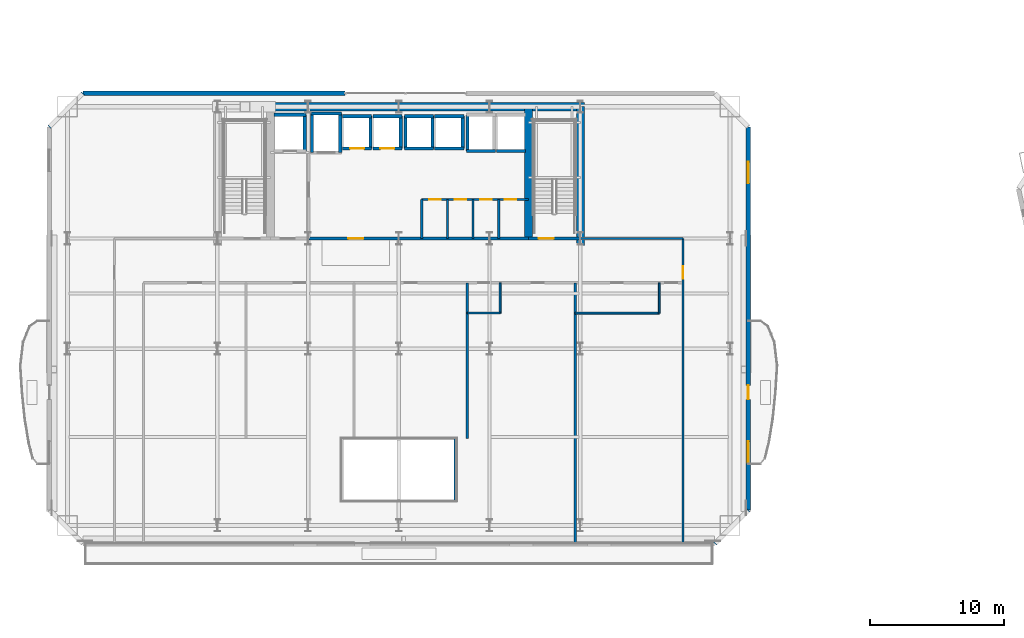
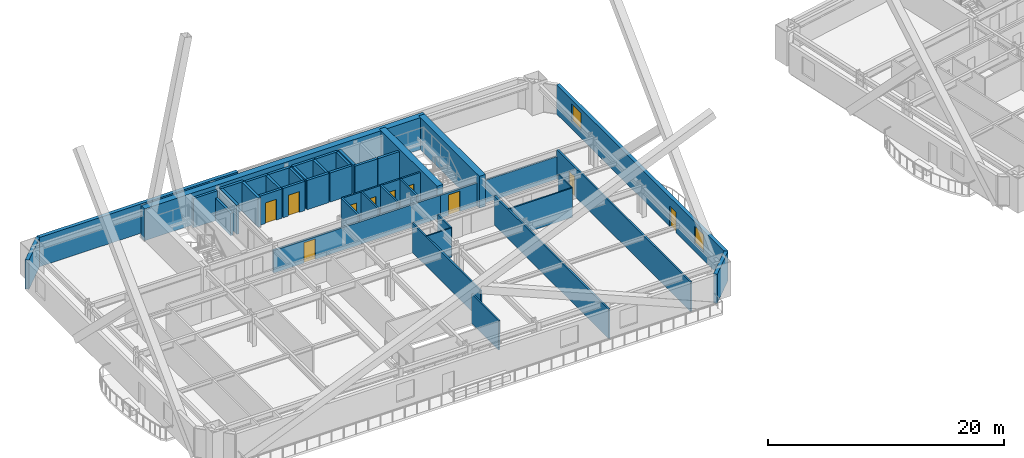
# One storey, part 12 of 25: 44 walls, 10 doors, 2 windows, 12 openings.
"""IFC4 building model written with IfcOpenShell, lengths in metres."""

from ifc_helpers import new_model, si_unit, direction, frame, frame_2d, origin, place, context, subcontext, project, spatial, rectangle, extrude, material, layer, layer_set, type_object, element, fill, save


model = new_model("IFC4")

# Units and contexts
model_context = context("Model", 3, precision=1e-05, world=origin(), true_north=direction((0.0, 1.0)))
body_context = subcontext(model_context, "Body", "Model", "MODEL_VIEW")
ifc_project = project(units=[si_unit("LENGTHUNIT", "METRE"), si_unit("AREAUNIT", "SQUARE_METRE"), si_unit("VOLUMEUNIT", "CUBIC_METRE"), si_unit("PLANEANGLEUNIT", "RADIAN"), si_unit("MASSUNIT", "GRAM", prefix="KILO")], contexts=[model_context])

# Site, building, storey
site_placement = place(None, origin())
site = spatial("IfcSite", under=ifc_project, at=site_placement, CompositionType="ELEMENT")
building_placement = place(site_placement, origin())
building = spatial("IfcBuilding", under=site, at=building_placement, Name="Haevon Station Towers", CompositionType="ELEMENT")
storey_placement = place(building_placement, frame((0.0, 0.0, 50.39990234375)))
storey = spatial("IfcBuildingStorey", under=building, at=storey_placement, Name="L12", CompositionType="ELEMENT", Elevation=50.39990234375)

# Wall, opening, door
ifc_material_1 = material(Name="Gypsum board on steel stud", Category="steel")
ifc_layer_1 = layer(ifc_material_1, 0.199951171875)
ifc_layer_set_1 = layer_set([ifc_layer_1], Name="Gypsum board on steel stud")
wall_type_1 = type_object("IfcWallType", Name="WL-COR200", PredefinedType="PARTITIONING", material=ifc_layer_set_1)
wall_1_placement = place(storey_placement, frame((47.14990234375, 38.199951171875, 0.0), z_axis=(0.0, 0.0, 1.0), x_axis=(1.0, 0.0, 0.0)))
wall_1 = element("IfcWall", 1, at=wall_1_placement, inside=storey, type_object=wall_type_1, Name="WL-ST-ST2-L12", PredefinedType="PARTITIONING", context=body_context, shape_type="SweptSolid", body=[
    extrude(rectangle(XDim=3.85009765625, YDim=0.199951171875, at=frame_2d((1.925048828125, 0.0))), origin(), (0.0, 0.0, 1.0), 2.330078125),
])
opening_1_placement = place(wall_1_placement, frame((0.75, 0.0, 0.0)))
opening_1 = element("IfcOpeningElement", 2, at=opening_1_placement, cuts=wall_1, Name="Opening DR-ST-ST2-L12", PredefinedType="OPENING", context=body_context, shape_type="SweptSolid", body=[
    extrude(rectangle(XDim=1.1201171875, YDim=2.10009765625, at=frame_2d((0.56005859375, 1.050048828125))), frame((0.0, 0.10986328125, 0.0), z_axis=(0.0, -1.0, 0.0), x_axis=(1.0, 0.0, 0.0)), (0.0, 0.0, 1.0), 0.219970703125),
])
ifc_material_2 = material(Name="Engineered oak timber", Category="wood")
door_type_1 = type_object("IfcDoorType", Name="DR-ST-1120", OperationType="NOTDEFINED", PredefinedType="DOOR", material=ifc_material_2)
door_1_placement = place(opening_1_placement, origin())
door_1 = element("IfcDoor", 3, at=door_1_placement, inside=storey, type_object=door_type_1, Name="L12 Escape Stair ST2 Fire Door", OperationType="SINGLE_SWING_LEFT", OverallHeight=2.10009765625, OverallWidth=1.1201171875, PredefinedType="DOOR", context=body_context, shape_type="SweptSolid", body=[
    extrude(rectangle(XDim=1.1201171875, YDim=2.10009765625, at=frame_2d((0.56005859375, 1.050048828125))), frame((0.0, 0.02490234375, 0.0), z_axis=(0.0, -1.0, 0.0), x_axis=(1.0, 0.0, 0.0)), (0.0, 0.0, 1.0), 0.050048828125),
])
fill(opening_1, door_1)

wall_2_placement = place(storey_placement, frame((30.800048828125, 38.199951171875, 0.0), z_axis=(0.0, 0.0, 1.0), x_axis=(1.0, 0.0, 0.0)))
wall_2 = element("IfcWall", 4, at=wall_2_placement, inside=storey, type_object=wall_type_1, Name="WL-T1CLB-L12", PredefinedType="PARTITIONING", context=body_context, shape_type="SweptSolid", body=[
    extrude(rectangle(XDim=16.349853515625, YDim=0.199951171875, at=frame_2d((8.1748046875, 0.0))), origin(), (0.0, 0.0, 1.0), 2.330078125),
])
opening_2_placement = place(wall_2_placement, frame((2.949951171875, 0.0, 0.0)))
opening_2 = element("IfcOpeningElement", 5, at=opening_2_placement, cuts=wall_2, Name="Opening DR-T1CLB-L12-1", PredefinedType="OPENING", context=body_context, shape_type="SweptSolid", body=[
    extrude(rectangle(XDim=1.1201171875, YDim=2.10009765625, at=frame_2d((0.56005859375, 1.050048828125))), frame((0.0, 0.10986328125, 0.0), z_axis=(0.0, -1.0, 0.0), x_axis=(1.0, 0.0, 0.0)), (0.0, 0.0, 1.0), 0.219970703125),
])
door_2_placement = place(opening_2_placement, origin())
door_2 = element("IfcDoor", 6, at=door_2_placement, inside=storey, type_object=door_type_1, Name="L12 Tower 1 Core Lift Lobby Door 1", OperationType="SINGLE_SWING_RIGHT", OverallHeight=2.10009765625, OverallWidth=1.1201171875, PredefinedType="DOOR", context=body_context, shape_type="SweptSolid", body=[
    extrude(rectangle(XDim=1.1201171875, YDim=2.10009765625, at=frame_2d((0.56005859375, 1.050048828125))), frame((0.0, 0.02490234375, 0.0), z_axis=(0.0, -1.0, 0.0), x_axis=(1.0, 0.0, 0.0)), (0.0, 0.0, 1.0), 0.050048828125),
])
fill(opening_2, door_2)

# Walls
ifc_material_3 = material(Name="Concrete C60/75", Category="concrete")
ifc_layer_2 = layer(ifc_material_3, 0.60009765625)
ifc_layer_set_2 = layer_set([ifc_layer_2], Name="Concrete C60/75")
wall_type_2 = type_object("IfcWallType", Name="WL-CR600", PredefinedType="SHEAR", material=ifc_layer_set_2)
wall_3_placement = place(storey_placement, frame((23.699951171875, 48.0, 0.0), z_axis=(0.0, 0.0, 1.0), x_axis=(1.0, 0.0, 0.0)))
element("IfcWall", 7, at=wall_3_placement, inside=storey, type_object=wall_type_2, Name="WL-T1CR-L12-N", PredefinedType="SHEAR", context=body_context, shape_type="SweptSolid", body=[
    extrude(rectangle(XDim=27.60009765625, YDim=0.60009765625, at=frame_2d((13.800048828125, 0.0))), origin(), (0.0, 0.0, 1.0), 3.300048828125),
])
wall_4_placement = place(storey_placement, frame((51.0, 37.679931640625, 0.0), z_axis=(0.0, 0.0, 1.0), x_axis=(0.0, 1.0, 0.0)))
element("IfcWall", 8, at=wall_4_placement, inside=storey, type_object=wall_type_2, Name="WL-T1CR-L12-E", PredefinedType="SHEAR", context=body_context, shape_type="SweptSolid", body=[
    extrude(rectangle(XDim=10.320068359375, YDim=0.60009765625, at=frame_2d((5.16015625, 0.0))), origin(), (0.0, 0.0, 1.0), 3.300048828125),
])
wall_5_placement = place(storey_placement, frame((47.14990234375, 38.199951171875, 0.0), z_axis=(0.0, 0.0, 1.0), x_axis=(0.0, 1.0, 0.0)))
element("IfcWall", 9, at=wall_5_placement, inside=storey, type_object=wall_type_2, Name="WL-T1CR-L12-M2", PredefinedType="SHEAR", context=body_context, shape_type="SweptSolid", body=[
    extrude(rectangle(XDim=9.800048828125, YDim=0.60009765625, at=frame_2d((4.89990234375, 0.0))), origin(), (0.0, 0.0, 1.0), 3.300048828125),
])
ifc_material_4 = material(Name="Precast concrete C45/55", Category="concrete")
ifc_layer_3 = layer(ifc_material_4, 0.340087890625)
ifc_layer_set_3 = layer_set([ifc_layer_3], Name="Precast concrete C45/55")
wall_type_3 = type_object("IfcWallType", Name="WL-EXT-PIER340", PredefinedType="SOLIDWALL", material=ifc_layer_set_3)
wall_6_placement = place(storey_placement, frame((11.5, 46.5, 0.0), z_axis=(0.0, 0.0, 1.0), x_axis=(0.707106781187, 0.707106781187, 0.0)))
element("IfcWall", 10, at=wall_6_placement, inside=storey, type_object=wall_type_3, Name="WL-T1-L12-NWC", PredefinedType="SOLIDWALL", context=body_context, shape_type="SweptSolid", body=[
    extrude(rectangle(XDim=3.53564453125, YDim=0.340087890625, at=frame_2d((1.767822265625, 0.0))), origin(), (0.0, 0.0, 1.0), 3.030029296875),
])
wall_7_placement = place(storey_placement, frame((14.0, 49.0, 0.0), z_axis=(0.0, 0.0, 1.0), x_axis=(1.0, 0.0, 0.0)))
element("IfcWall", 11, at=wall_7_placement, inside=storey, type_object=wall_type_3, Name="WL-T1-L12-N1", PredefinedType="SOLIDWALL", context=body_context, shape_type="SweptSolid", body=[
    extrude(rectangle(XDim=19.5, YDim=0.340087890625, at=frame_2d((9.75, 0.0))), origin(), (0.0, 0.0, 1.0), 3.030029296875),
])

# Wall, openings, door, windows
wall_8_placement = place(storey_placement, frame((63.5, 46.5, 0.0), z_axis=(0.0, 0.0, 1.0), x_axis=(0.0, -1.0, 0.0)))
wall_8 = element("IfcWall", 12, at=wall_8_placement, inside=storey, type_object=wall_type_3, Name="WL-T1-L12-E", PredefinedType="SOLIDWALL", context=body_context, shape_type="SweptSolid", body=[
    extrude(rectangle(XDim=28.5, YDim=0.340087890625, at=frame_2d((14.25, 0.0))), origin(), (0.0, 0.0, 1.0), 3.030029296875),
])
opening_3_placement = place(wall_8_placement, frame((19.22509765625, 0.0, 0.0)))
opening_3 = element("IfcOpeningElement", 13, at=opening_3_placement, cuts=wall_8, Name="Opening DR-T1-SCAL-L12-E", PredefinedType="OPENING", context=body_context, shape_type="SweptSolid", body=[
    extrude(rectangle(XDim=1.050048828125, YDim=2.10009765625, at=frame_2d((0.52490234375, 1.050048828125))), frame((0.0, 0.179931640625, 0.0), z_axis=(0.0, -1.0, 0.0), x_axis=(1.0, 0.0, 0.0)), (0.0, 0.0, 1.0), 0.360107421875),
])
opening_4_placement = place(wall_8_placement, frame((2.607177734375, 0.0, 0.800048828125)))
opening_4 = element("IfcOpeningElement", 14, at=opening_4_placement, cuts=wall_8, Name="Opening WN-END160", PredefinedType="OPENING", context=body_context, shape_type="SweptSolid", body=[
    extrude(rectangle(XDim=1.60009765625, YDim=1.800048828125, at=frame_2d((0.800048828125, 0.89990234375))), frame((0.0, 0.179931640625, 0.0), z_axis=(0.0, -1.0, 0.0), x_axis=(1.0, 0.0, 0.0)), (0.0, 0.0, 1.0), 0.360107421875),
])
opening_5_placement = place(wall_8_placement, frame((23.389404296875, 0.0, 0.800048828125)))
opening_5 = element("IfcOpeningElement", 15, at=opening_5_placement, cuts=wall_8, Name="Opening WN-END160", PredefinedType="OPENING", context=body_context, shape_type="SweptSolid", body=[
    extrude(rectangle(XDim=1.60009765625, YDim=1.800048828125, at=frame_2d((0.800048828125, 0.89990234375))), frame((0.0, 0.179931640625, 0.0), z_axis=(0.0, -1.0, 0.0), x_axis=(1.0, 0.0, 0.0)), (0.0, 0.0, 1.0), 0.360107421875),
])
ifc_material_5 = material(Name="Thermally broken anodised aluminium and laminated safety glass", Category="aluminium")
door_type_2 = type_object("IfcDoorType", Name="DR-BALC-1050", OperationType="NOTDEFINED", PredefinedType="DOOR", material=ifc_material_5)
door_3_placement = place(opening_3_placement, origin())
door_3 = element("IfcDoor", 16, at=door_3_placement, inside=storey, type_object=door_type_2, Name="Tower 1 L12 East Scalloped Balcony Door", OperationType="SINGLE_SWING_LEFT", OverallHeight=2.10009765625, OverallWidth=1.050048828125, PredefinedType="DOOR", context=body_context, shape_type="SweptSolid", body=[
    extrude(rectangle(XDim=1.050048828125, YDim=2.10009765625, at=frame_2d((0.52490234375, 1.050048828125))), frame((0.0, 0.02490234375, 0.0), z_axis=(0.0, -1.0, 0.0), x_axis=(1.0, 0.0, 0.0)), (0.0, 0.0, 1.0), 0.050048828125),
])
fill(opening_3, door_3)
ifc_material_6 = material(Name="Low-E triple glazing in thermally broken aluminium", Category="aluminium")
window_type = type_object("IfcWindowType", Name="WN-END160", PartitioningType="SINGLE_PANEL", PredefinedType="WINDOW", material=ifc_material_6)
window_1_placement = place(opening_4_placement, origin())
window_1 = element("IfcWindow", 17, at=window_1_placement, inside=storey, type_object=window_type, Name="WN-T1-L12-E01", OverallHeight=1.800048828125, OverallWidth=1.60009765625, PartitioningType="SINGLE_PANEL", PredefinedType="WINDOW", context=body_context, shape_type="SweptSolid", body=[
    extrude(rectangle(XDim=1.60009765625, YDim=1.800048828125, at=frame_2d((0.800048828125, 0.89990234375))), frame((0.0, 0.030029296875, 0.0), z_axis=(0.0, -1.0, 0.0), x_axis=(1.0, 0.0, 0.0)), (0.0, 0.0, 1.0), 0.06005859375),
])
fill(opening_4, window_1)
window_2_placement = place(opening_5_placement, origin())
window_2 = element("IfcWindow", 18, at=window_2_placement, inside=storey, type_object=window_type, Name="WN-T1-L12-E02", OverallHeight=1.800048828125, OverallWidth=1.60009765625, PartitioningType="SINGLE_PANEL", PredefinedType="WINDOW", context=body_context, shape_type="SweptSolid", body=[
    extrude(rectangle(XDim=1.60009765625, YDim=1.800048828125, at=frame_2d((0.800048828125, 0.89990234375))), frame((0.0, 0.030029296875, 0.0), z_axis=(0.0, -1.0, 0.0), x_axis=(1.0, 0.0, 0.0)), (0.0, 0.0, 1.0), 0.06005859375),
])
fill(opening_5, window_2)

# Walls
wall_9_placement = place(storey_placement, frame((63.5, 18.0, 0.0), z_axis=(0.0, 0.0, 1.0), x_axis=(-0.707106781187, -0.707106781187, 0.0)))
element("IfcWall", 19, at=wall_9_placement, inside=storey, type_object=wall_type_3, Name="WL-T1-L12-SEC", PredefinedType="SOLIDWALL", context=body_context, shape_type="SweptSolid", body=[
    extrude(rectangle(XDim=3.53564453125, YDim=0.340087890625, at=frame_2d((1.767822265625, 0.0))), origin(), (0.0, 0.0, 1.0), 3.030029296875),
])
ifc_layer_4 = layer(ifc_material_1, 0.125)
ifc_layer_set_4 = layer_set([ifc_layer_4], Name="Gypsum board on steel stud")
wall_type_4 = type_object("IfcWallType", Name="WL-PRT125", PredefinedType="PARTITIONING", material=ifc_layer_set_4)
wall_10_placement = place(storey_placement, frame((42.590087890625, 32.64990234375, 0.0), z_axis=(0.0, 0.0, 1.0), x_axis=(1.0, 0.0, 0.0)))
element("IfcWall", 20, at=wall_10_placement, inside=storey, type_object=wall_type_4, Name="WL-T1PT-L12-15", PredefinedType="PARTITIONING", context=body_context, shape_type="SweptSolid", body=[
    extrude(rectangle(XDim=2.449951171875, YDim=0.125, at=frame_2d((1.22509765625, 0.0))), origin(), (0.0, 0.0, 1.0), 3.030029296875),
])
wall_11_placement = place(storey_placement, frame((56.8701171875, 32.64990234375, 0.0), z_axis=(0.0, 0.0, 1.0), x_axis=(0.0, 1.0, 0.0)))
element("IfcWall", 21, at=wall_11_placement, inside=storey, type_object=wall_type_4, Name="WL-T1PT-L12-19", PredefinedType="PARTITIONING", context=body_context, shape_type="SweptSolid", body=[
    extrude(rectangle(XDim=2.25, YDim=0.125, at=frame_2d((1.125, 0.0))), origin(), (0.0, 0.0, 1.0), 3.030029296875),
])
ifc_layer_5 = layer(ifc_material_1, 0.139892578125)
ifc_layer_set_5 = layer_set([ifc_layer_5], Name="Gypsum board on steel stud")
wall_type_5 = type_object("IfcWallType", Name="WL-PRT140", PredefinedType="PARTITIONING", material=ifc_layer_set_5)
wall_12_placement = place(storey_placement, frame((45.0400390625, 32.64990234375, 0.0), z_axis=(0.0, 0.0, 1.0), x_axis=(0.0, 1.0, 0.0)))
element("IfcWall", 22, at=wall_12_placement, inside=storey, type_object=wall_type_5, Name="WL-T1PT-L12-16", PredefinedType="PARTITIONING", context=body_context, shape_type="SweptSolid", body=[
    extrude(rectangle(XDim=2.25, YDim=0.139892578125, at=frame_2d((1.125, 0.0))), origin(), (0.0, 0.0, 1.0), 3.030029296875),
])
wall_13_placement = place(storey_placement, frame((50.6201171875, 32.64990234375, 0.0), z_axis=(0.0, 0.0, 1.0), x_axis=(1.0, 0.0, 0.0)))
element("IfcWall", 23, at=wall_13_placement, inside=storey, type_object=wall_type_5, Name="WL-T1PT-L12-18", PredefinedType="PARTITIONING", context=body_context, shape_type="SweptSolid", body=[
    extrude(rectangle(XDim=6.25, YDim=0.139892578125, at=frame_2d((3.125, 0.0))), origin(), (0.0, 0.0, 1.0), 3.030029296875),
])
ifc_layer_6 = layer(ifc_material_1, 0.159912109375)
ifc_layer_set_6 = layer_set([ifc_layer_6], Name="Gypsum board on steel stud")
wall_type_6 = type_object("IfcWallType", Name="WL-PRT160", PredefinedType="PARTITIONING", material=ifc_layer_set_6)
for number, where, z_axis, x_axis, name in (
    (24, (39.199951171875, 38.199951171875, 0.0), (0.0, 0.0, 1.0), (0.0, 1.0, 0.0), "WL-T1CW-L12-01"),
    (25, (41.1298828125, 38.199951171875, 0.0), (0.0, 0.0, 1.0), (0.0, 1.0, 0.0), "WL-T1CW-L12-02"),
    (26, (43.030029296875, 38.199951171875, 0.0), (0.0, 0.0, 1.0), (0.0, 1.0, 0.0), "WL-T1CW-L12-03"),
    (27, (44.929931640625, 38.199951171875, 0.0), (0.0, 0.0, 1.0), (0.0, 1.0, 0.0), "WL-T1CW-L12-04"),
):
    element("IfcWall", number, at=place(storey_placement, frame(where, z_axis=z_axis, x_axis=x_axis)), inside=storey, type_object=wall_type_6, Name=name, PredefinedType="PARTITIONING", context=body_context, shape_type="SweptSolid", body=[
        extrude(rectangle(XDim=2.900146484375, YDim=0.159912109375, at=frame_2d((1.4501953125, 0.0))), origin(), (0.0, 0.0, 1.0), 3.030029296875),
    ])

# Wall, openings, doors
wall_14_placement = place(storey_placement, frame((39.199951171875, 41.10009765625, 0.0), z_axis=(0.0, 0.0, 1.0), x_axis=(1.0, 0.0, 0.0)))
wall_14 = element("IfcWall", 28, at=wall_14_placement, inside=storey, type_object=wall_type_6, Name="WL-T1CW-L12-05", PredefinedType="PARTITIONING", context=body_context, shape_type="SweptSolid", body=[
    extrude(rectangle(XDim=7.949951171875, YDim=0.159912109375, at=frame_2d((3.97509765625, 0.0))), origin(), (0.0, 0.0, 1.0), 3.030029296875),
])
opening_6_placement = place(wall_14_placement, frame((0.56005859375, 0.0, 0.0)))
opening_6 = element("IfcOpeningElement", 29, at=opening_6_placement, cuts=wall_14, Name="Opening DR-WL-T1CW-L12-05-1", PredefinedType="OPENING", context=body_context, shape_type="SweptSolid", body=[
    extrude(rectangle(XDim=0.85009765625, YDim=2.050048828125, at=frame_2d((0.425048828125, 1.02490234375))), frame((0.0, 0.08984375, 0.0), z_axis=(0.0, -1.0, 0.0), x_axis=(1.0, 0.0, 0.0)), (0.0, 0.0, 1.0), 0.179931640625),
])
opening_7_placement = place(wall_14_placement, frame((2.455078125, 0.0, 0.0)))
opening_7 = element("IfcOpeningElement", 30, at=opening_7_placement, cuts=wall_14, Name="Opening DR-WL-T1CW-L12-05-2", PredefinedType="OPENING", context=body_context, shape_type="SweptSolid", body=[
    extrude(rectangle(XDim=0.85009765625, YDim=2.050048828125, at=frame_2d((0.425048828125, 1.02490234375))), frame((0.0, 0.08984375, 0.0), z_axis=(0.0, -1.0, 0.0), x_axis=(1.0, 0.0, 0.0)), (0.0, 0.0, 1.0), 0.179931640625),
])
opening_8_placement = place(wall_14_placement, frame((4.35498046875, 0.0, 0.0)))
opening_8 = element("IfcOpeningElement", 31, at=opening_8_placement, cuts=wall_14, Name="Opening DR-WL-T1CW-L12-05-3", PredefinedType="OPENING", context=body_context, shape_type="SweptSolid", body=[
    extrude(rectangle(XDim=0.85009765625, YDim=2.050048828125, at=frame_2d((0.425048828125, 1.02490234375))), frame((0.0, 0.08984375, 0.0), z_axis=(0.0, -1.0, 0.0), x_axis=(1.0, 0.0, 0.0)), (0.0, 0.0, 1.0), 0.179931640625),
])
opening_9_placement = place(wall_14_placement, frame((6.179931640625, 0.0, 0.0)))
opening_9 = element("IfcOpeningElement", 32, at=opening_9_placement, cuts=wall_14, Name="Opening DR-WL-T1CW-L12-05-4", PredefinedType="OPENING", context=body_context, shape_type="SweptSolid", body=[
    extrude(rectangle(XDim=0.85009765625, YDim=2.050048828125, at=frame_2d((0.425048828125, 1.02490234375))), frame((0.0, 0.08984375, 0.0), z_axis=(0.0, -1.0, 0.0), x_axis=(1.0, 0.0, 0.0)), (0.0, 0.0, 1.0), 0.179931640625),
])
door_type_3 = type_object("IfcDoorType", Name="DR-FD30-850", OperationType="NOTDEFINED", PredefinedType="DOOR", material=ifc_material_2)
door_4_placement = place(opening_6_placement, origin())
door_4 = element("IfcDoor", 33, at=door_4_placement, inside=storey, type_object=door_type_3, Name="L12 Tower 1 Core Room Door 5-1", OperationType="SINGLE_SWING_RIGHT", OverallHeight=2.050048828125, OverallWidth=0.85009765625, PredefinedType="DOOR", context=body_context, shape_type="SweptSolid", body=[
    extrude(rectangle(XDim=0.85009765625, YDim=2.050048828125, at=frame_2d((0.425048828125, 1.02490234375))), frame((0.0, 0.02490234375, 0.0), z_axis=(0.0, -1.0, 0.0), x_axis=(1.0, 0.0, 0.0)), (0.0, 0.0, 1.0), 0.050048828125),
])
fill(opening_6, door_4)
door_5_placement = place(opening_7_placement, origin())
door_5 = element("IfcDoor", 34, at=door_5_placement, inside=storey, type_object=door_type_3, Name="L12 Tower 1 Core Room Door 5-2", OperationType="SINGLE_SWING_LEFT", OverallHeight=2.050048828125, OverallWidth=0.85009765625, PredefinedType="DOOR", context=body_context, shape_type="SweptSolid", body=[
    extrude(rectangle(XDim=0.85009765625, YDim=2.050048828125, at=frame_2d((0.425048828125, 1.02490234375))), frame((0.0, 0.02490234375, 0.0), z_axis=(0.0, -1.0, 0.0), x_axis=(1.0, 0.0, 0.0)), (0.0, 0.0, 1.0), 0.050048828125),
])
fill(opening_7, door_5)
door_6_placement = place(opening_8_placement, origin())
door_6 = element("IfcDoor", 35, at=door_6_placement, inside=storey, type_object=door_type_3, Name="L12 Tower 1 Core Room Door 5-3", OperationType="SINGLE_SWING_RIGHT", OverallHeight=2.050048828125, OverallWidth=0.85009765625, PredefinedType="DOOR", context=body_context, shape_type="SweptSolid", body=[
    extrude(rectangle(XDim=0.85009765625, YDim=2.050048828125, at=frame_2d((0.425048828125, 1.02490234375))), frame((0.0, 0.02490234375, 0.0), z_axis=(0.0, -1.0, 0.0), x_axis=(1.0, 0.0, 0.0)), (0.0, 0.0, 1.0), 0.050048828125),
])
fill(opening_8, door_6)
door_7_placement = place(opening_9_placement, origin())
door_7 = element("IfcDoor", 36, at=door_7_placement, inside=storey, type_object=door_type_3, Name="L12 Tower 1 Core Room Door 5-4", OperationType="SINGLE_SWING_LEFT", OverallHeight=2.050048828125, OverallWidth=0.85009765625, PredefinedType="DOOR", context=body_context, shape_type="SweptSolid", body=[
    extrude(rectangle(XDim=0.85009765625, YDim=2.050048828125, at=frame_2d((0.425048828125, 1.02490234375))), frame((0.0, 0.02490234375, 0.0), z_axis=(0.0, -1.0, 0.0), x_axis=(1.0, 0.0, 0.0)), (0.0, 0.0, 1.0), 0.050048828125),
])
fill(opening_9, door_7)

# Wall
wall_15_placement = place(storey_placement, frame((51.0, 38.199951171875, 0.0), z_axis=(0.0, 0.0, 1.0), x_axis=(1.0, 0.0, 0.0)))
element("IfcWall", 37, at=wall_15_placement, inside=storey, type_object=wall_type_6, Name="WL-T1PT-L12-03", PredefinedType="PARTITIONING", context=body_context, shape_type="SweptSolid", body=[
    extrude(rectangle(XDim=7.64990234375, YDim=0.159912109375, at=frame_2d((3.824951171875, 0.0))), origin(), (0.0, 0.0, 1.0), 2.330078125),
])

# Wall, opening, door
wall_16_placement = place(storey_placement, frame((58.64990234375, 15.5, 0.0), z_axis=(0.0, 0.0, 1.0), x_axis=(0.0, 1.0, 0.0)))
wall_16 = element("IfcWall", 38, at=wall_16_placement, inside=storey, type_object=wall_type_6, Name="WL-T1PT-L12-05", PredefinedType="PARTITIONING", context=body_context, shape_type="SweptSolid", body=[
    extrude(rectangle(XDim=22.699951171875, YDim=0.159912109375, at=frame_2d((11.35009765625, 0.0))), origin(), (0.0, 0.0, 1.0), 3.030029296875),
])
opening_10_placement = place(wall_16_placement, frame((19.719970703125, 0.0, 0.0)))
opening_10 = element("IfcOpeningElement", 39, at=opening_10_placement, cuts=wall_16, Name="Opening DR-WL-T1PT-L12-05-01", PredefinedType="OPENING", context=body_context, shape_type="SweptSolid", body=[
    extrude(rectangle(XDim=0.89990234375, YDim=2.050048828125, at=frame_2d((0.449951171875, 1.02490234375))), frame((0.0, 0.08984375, 0.0), z_axis=(0.0, -1.0, 0.0), x_axis=(1.0, 0.0, 0.0)), (0.0, 0.0, 1.0), 0.179931640625),
])
door_type_4 = type_object("IfcDoorType", Name="DR-INT-900", OperationType="NOTDEFINED", PredefinedType="DOOR", material=ifc_material_2)
door_8_placement = place(opening_10_placement, origin())
door_8 = element("IfcDoor", 40, at=door_8_placement, inside=storey, type_object=door_type_4, Name="L12 Tower 1 Room Door 5-1", OperationType="SINGLE_SWING_LEFT", OverallHeight=2.050048828125, OverallWidth=0.89990234375, PredefinedType="DOOR", context=body_context, shape_type="SweptSolid", body=[
    extrude(rectangle(XDim=0.89990234375, YDim=2.050048828125, at=frame_2d((0.449951171875, 1.02490234375))), frame((0.0, 0.02490234375, 0.0), z_axis=(0.0, -1.0, 0.0), x_axis=(1.0, 0.0, 0.0)), (0.0, 0.0, 1.0), 0.050048828125),
])
fill(opening_10, door_8)

# Walls
wall_17_placement = place(storey_placement, frame((41.699951171875, 18.699951171875, 0.0), z_axis=(0.0, 0.0, 1.0), x_axis=(0.0, 1.0, 0.0)))
element("IfcWall", 41, at=wall_17_placement, inside=storey, type_object=wall_type_6, Name="WL-T1PT-L12-09", PredefinedType="PARTITIONING", context=body_context, shape_type="SweptSolid", body=[
    extrude(rectangle(XDim=4.60009765625, YDim=0.159912109375, at=frame_2d((2.300048828125, 0.0))), origin(), (0.0, 0.0, 1.0), 3.030029296875),
])
wall_18_placement = place(storey_placement, frame((42.590087890625, 23.300048828125, 0.0), z_axis=(0.0, 0.0, 1.0), x_axis=(0.0, 1.0, 0.0)))
element("IfcWall", 42, at=wall_18_placement, inside=storey, type_object=wall_type_6, Name="WL-T1PT-L12-13", PredefinedType="PARTITIONING", context=body_context, shape_type="SweptSolid", body=[
    extrude(rectangle(XDim=11.599853515625, YDim=0.159912109375, at=frame_2d((5.7998046875, 0.0))), origin(), (0.0, 0.0, 1.0), 3.030029296875),
])
wall_19_placement = place(storey_placement, frame((50.6201171875, 15.5, 0.0), z_axis=(0.0, 0.0, 1.0), x_axis=(0.0, 1.0, 0.0)))
element("IfcWall", 43, at=wall_19_placement, inside=storey, type_object=wall_type_6, Name="WL-T1PT-L12-17", PredefinedType="PARTITIONING", context=body_context, shape_type="SweptSolid", body=[
    extrude(rectangle(XDim=19.39990234375, YDim=0.159912109375, at=frame_2d((9.699951171875, 0.0))), origin(), (0.0, 0.0, 1.0), 3.030029296875),
])
ifc_material_7 = material(Name="Concrete C40/50", Category="concrete")
ifc_layer_7 = layer(ifc_material_7, 0.239990234375)
ifc_layer_set_7 = layer_set([ifc_layer_7], Name="Concrete C40/50")
wall_type_7 = type_object("IfcWallType", Name="WL-SHF240", PredefinedType="PARTITIONING", material=ifc_layer_set_7)
wall_20_placement = place(storey_placement, frame((28.219970703125, 47.39990234375, 0.0), z_axis=(0.0, 0.0, 1.0), x_axis=(1.0, 0.0, 0.0)))
element("IfcWall", 44, at=wall_20_placement, inside=storey, type_object=wall_type_7, Name="WL-SHF-FL1-L12-N", PredefinedType="PARTITIONING", context=body_context, shape_type="SweptSolid", body=[
    extrude(rectangle(XDim=2.360107421875, YDim=0.239990234375, at=frame_2d((1.18017578125, 0.0))), origin(), (0.0, 0.0, 1.0), 3.030029296875),
])
wall_21_placement = place(storey_placement, frame((30.5, 44.699951171875, 0.0), z_axis=(0.0, 0.0, 1.0), x_axis=(0.0, 1.0, 0.0)))
element("IfcWall", 45, at=wall_21_placement, inside=storey, type_object=wall_type_7, Name="WL-SHF-FL1-L12-E", PredefinedType="PARTITIONING", context=body_context, shape_type="SweptSolid", body=[
    extrude(rectangle(XDim=2.699951171875, YDim=0.239990234375, at=frame_2d((1.35009765625, 0.0))), origin(), (0.0, 0.0, 1.0), 2.330078125),
])
wall_22_placement = place(storey_placement, frame((30.969970703125, 47.5, 0.0), z_axis=(0.0, 0.0, 1.0), x_axis=(1.0, 0.0, 0.0)))
element("IfcWall", 46, at=wall_22_placement, inside=storey, type_object=wall_type_7, Name="WL-SHF-SL1-L12-N", PredefinedType="PARTITIONING", context=body_context, shape_type="SweptSolid", body=[
    extrude(rectangle(XDim=2.260009765625, YDim=0.239990234375, at=frame_2d((1.1298828125, 0.0))), origin(), (0.0, 0.0, 1.0), 3.030029296875),
])
for number, where, z_axis, x_axis, name in (
    (47, (31.050048828125, 44.60009765625, 0.0), (0.0, 0.0, 1.0), (0.0, 1.0, 0.0), "WL-SHF-SL1-L12-W"),
    (48, (33.14990234375, 44.60009765625, 0.0), (0.0, 0.0, 1.0), (0.0, 1.0, 0.0), "WL-SHF-SL1-L12-E"),
):
    element("IfcWall", number, at=place(storey_placement, frame(where, z_axis=z_axis, x_axis=x_axis)), inside=storey, type_object=wall_type_7, Name=name, PredefinedType="PARTITIONING", context=body_context, shape_type="SweptSolid", body=[
        extrude(rectangle(XDim=2.89990234375, YDim=0.239990234375, at=frame_2d((1.449951171875, 0.0))), origin(), (0.0, 0.0, 1.0), 3.030029296875),
    ])

# Wall, opening, door
wall_23_placement = place(storey_placement, frame((33.320068359375, 44.89990234375, 0.0), z_axis=(0.0, 0.0, 1.0), x_axis=(1.0, 0.0, 0.0)))
wall_23 = element("IfcWall", 49, at=wall_23_placement, inside=storey, type_object=wall_type_7, Name="WL-SHF-PL1-L12", PredefinedType="PARTITIONING", context=body_context, shape_type="SweptSolid", body=[
    extrude(rectangle(XDim=2.159912109375, YDim=0.239990234375, at=frame_2d((1.080078125, 0.0))), origin(), (0.0, 0.0, 1.0), 3.030029296875),
])
opening_11_placement = place(wall_23_placement, frame((0.554931640625, 0.0, 0.0)))
opening_11 = element("IfcOpeningElement", 50, at=opening_11_placement, cuts=wall_23, Name="Opening LD-PL1-L12", PredefinedType="OPENING", context=body_context, shape_type="SweptSolid", body=[
    extrude(rectangle(XDim=1.050048828125, YDim=2.14990234375, at=frame_2d((0.52490234375, 1.074951171875))), frame((0.0, 0.1298828125, 0.0), z_axis=(0.0, -1.0, 0.0), x_axis=(1.0, 0.0, 0.0)), (0.0, 0.0, 1.0), 0.260009765625),
])
ifc_material_8 = material(Name="Stainless steel and rated core", Category="steel")
door_type_5 = type_object("IfcDoorType", Name="LD-PL1050", OperationType="SLIDING_TO_LEFT", PredefinedType="DOOR", material=ifc_material_8)
door_9_placement = place(opening_11_placement, origin())
door_9 = element("IfcDoor", 51, at=door_9_placement, inside=storey, type_object=door_type_5, Name="L12 Lift PL1 Sliding Landing Door", OperationType="SLIDING_TO_LEFT", OverallHeight=2.14990234375, OverallWidth=1.050048828125, PredefinedType="DOOR", context=body_context, shape_type="SweptSolid", body=[
    extrude(rectangle(XDim=1.050048828125, YDim=2.14990234375, at=frame_2d((0.52490234375, 1.074951171875))), frame((0.0, 0.02490234375, 0.0), z_axis=(0.0, -1.0, 0.0), x_axis=(1.0, 0.0, 0.0)), (0.0, 0.0, 1.0), 0.050048828125),
])
fill(opening_11, door_9)

# Walls
wall_24_placement = place(storey_placement, frame((33.320068359375, 47.300048828125, 0.0), z_axis=(0.0, 0.0, 1.0), x_axis=(1.0, 0.0, 0.0)))
element("IfcWall", 52, at=wall_24_placement, inside=storey, type_object=wall_type_7, Name="WL-SHF-PL1-L12-N", PredefinedType="PARTITIONING", context=body_context, shape_type="SweptSolid", body=[
    extrude(rectangle(XDim=2.159912109375, YDim=0.239990234375, at=frame_2d((1.080078125, 0.0))), origin(), (0.0, 0.0, 1.0), 3.030029296875),
])
wall_25_placement = place(storey_placement, frame((35.39990234375, 44.89990234375, 0.0), z_axis=(0.0, 0.0, 1.0), x_axis=(0.0, 1.0, 0.0)))
element("IfcWall", 53, at=wall_25_placement, inside=storey, type_object=wall_type_7, Name="WL-SHF-PL1-L12-E", PredefinedType="PARTITIONING", context=body_context, shape_type="SweptSolid", body=[
    extrude(rectangle(XDim=2.400146484375, YDim=0.239990234375, at=frame_2d((1.2001953125, 0.0))), origin(), (0.0, 0.0, 1.0), 3.030029296875),
])

# Wall, opening, door
wall_26_placement = place(storey_placement, frame((35.570068359375, 44.89990234375, 0.0), z_axis=(0.0, 0.0, 1.0), x_axis=(1.0, 0.0, 0.0)))
wall_26 = element("IfcWall", 54, at=wall_26_placement, inside=storey, type_object=wall_type_7, Name="WL-SHF-PL2-L12", PredefinedType="PARTITIONING", context=body_context, shape_type="SweptSolid", body=[
    extrude(rectangle(XDim=2.159912109375, YDim=0.239990234375, at=frame_2d((1.080078125, 0.0))), origin(), (0.0, 0.0, 1.0), 3.030029296875),
])
opening_12_placement = place(wall_26_placement, frame((0.554931640625, 0.0, 0.0)))
opening_12 = element("IfcOpeningElement", 55, at=opening_12_placement, cuts=wall_26, Name="Opening LD-PL2-L12", PredefinedType="OPENING", context=body_context, shape_type="SweptSolid", body=[
    extrude(rectangle(XDim=1.050048828125, YDim=2.14990234375, at=frame_2d((0.52490234375, 1.074951171875))), frame((0.0, 0.1298828125, 0.0), z_axis=(0.0, -1.0, 0.0), x_axis=(1.0, 0.0, 0.0)), (0.0, 0.0, 1.0), 0.260009765625),
])
door_10_placement = place(opening_12_placement, origin())
door_10 = element("IfcDoor", 56, at=door_10_placement, inside=storey, type_object=door_type_5, Name="L12 Lift PL2 Sliding Landing Door", OperationType="SLIDING_TO_LEFT", OverallHeight=2.14990234375, OverallWidth=1.050048828125, PredefinedType="DOOR", context=body_context, shape_type="SweptSolid", body=[
    extrude(rectangle(XDim=1.050048828125, YDim=2.14990234375, at=frame_2d((0.52490234375, 1.074951171875))), frame((0.0, 0.02490234375, 0.0), z_axis=(0.0, -1.0, 0.0), x_axis=(1.0, 0.0, 0.0)), (0.0, 0.0, 1.0), 0.050048828125),
])
fill(opening_12, door_10)

# Walls
wall_27_placement = place(storey_placement, frame((35.570068359375, 47.300048828125, 0.0), z_axis=(0.0, 0.0, 1.0), x_axis=(1.0, 0.0, 0.0)))
element("IfcWall", 57, at=wall_27_placement, inside=storey, type_object=wall_type_7, Name="WL-SHF-PL2-L12-N", PredefinedType="PARTITIONING", context=body_context, shape_type="SweptSolid", body=[
    extrude(rectangle(XDim=2.159912109375, YDim=0.239990234375, at=frame_2d((1.080078125, 0.0))), origin(), (0.0, 0.0, 1.0), 3.030029296875),
])
wall_28_placement = place(storey_placement, frame((37.64990234375, 44.89990234375, 0.0), z_axis=(0.0, 0.0, 1.0), x_axis=(0.0, 1.0, 0.0)))
element("IfcWall", 58, at=wall_28_placement, inside=storey, type_object=wall_type_7, Name="WL-SHF-PL2-L12-E", PredefinedType="PARTITIONING", context=body_context, shape_type="SweptSolid", body=[
    extrude(rectangle(XDim=2.400146484375, YDim=0.239990234375, at=frame_2d((1.2001953125, 0.0))), origin(), (0.0, 0.0, 1.0), 3.030029296875),
])
for number, where, z_axis, x_axis, name in (
    (59, (37.919921875, 44.89990234375, 0.0), (0.0, 0.0, 1.0), (1.0, 0.0, 0.0), "WL-SHF-PL3-L12"),
    (60, (37.919921875, 47.300048828125, 0.0), (0.0, 0.0, 1.0), (1.0, 0.0, 0.0), "WL-SHF-PL3-L12-N"),
):
    element("IfcWall", number, at=place(storey_placement, frame(where, z_axis=z_axis, x_axis=x_axis)), inside=storey, type_object=wall_type_7, Name=name, PredefinedType="PARTITIONING", context=body_context, shape_type="SweptSolid", body=[
        extrude(rectangle(XDim=2.16015625, YDim=0.239990234375, at=frame_2d((1.080078125, 0.0))), origin(), (0.0, 0.0, 1.0), 3.030029296875),
    ])
for number, where, z_axis, x_axis, name in (
    (61, (38.0, 44.89990234375, 0.0), (0.0, 0.0, 1.0), (0.0, 1.0, 0.0), "WL-SHF-PL3-L12-W"),
    (62, (40.0, 44.89990234375, 0.0), (0.0, 0.0, 1.0), (0.0, 1.0, 0.0), "WL-SHF-PL3-L12-E"),
):
    element("IfcWall", number, at=place(storey_placement, frame(where, z_axis=z_axis, x_axis=x_axis)), inside=storey, type_object=wall_type_7, Name=name, PredefinedType="PARTITIONING", context=body_context, shape_type="SweptSolid", body=[
        extrude(rectangle(XDim=2.400146484375, YDim=0.239990234375, at=frame_2d((1.2001953125, 0.0))), origin(), (0.0, 0.0, 1.0), 3.030029296875),
    ])
for number, where, z_axis, x_axis, name in (
    (63, (40.169921875, 44.89990234375, 0.0), (0.0, 0.0, 1.0), (1.0, 0.0, 0.0), "WL-SHF-PL4-L12"),
    (64, (40.169921875, 47.300048828125, 0.0), (0.0, 0.0, 1.0), (1.0, 0.0, 0.0), "WL-SHF-PL4-L12-N"),
):
    element("IfcWall", number, at=place(storey_placement, frame(where, z_axis=z_axis, x_axis=x_axis)), inside=storey, type_object=wall_type_7, Name=name, PredefinedType="PARTITIONING", context=body_context, shape_type="SweptSolid", body=[
        extrude(rectangle(XDim=2.16015625, YDim=0.239990234375, at=frame_2d((1.080078125, 0.0))), origin(), (0.0, 0.0, 1.0), 3.030029296875),
    ])
wall_29_placement = place(storey_placement, frame((42.25, 44.89990234375, 0.0), z_axis=(0.0, 0.0, 1.0), x_axis=(0.0, 1.0, 0.0)))
element("IfcWall", 65, at=wall_29_placement, inside=storey, type_object=wall_type_7, Name="WL-SHF-PL4-L12-E", PredefinedType="PARTITIONING", context=body_context, shape_type="SweptSolid", body=[
    extrude(rectangle(XDim=2.400146484375, YDim=0.239990234375, at=frame_2d((1.2001953125, 0.0))), origin(), (0.0, 0.0, 1.0), 3.030029296875),
])
wall_30_placement = place(storey_placement, frame((42.52001953125, 44.699951171875, 0.0), z_axis=(0.0, 0.0, 1.0), x_axis=(1.0, 0.0, 0.0)))
element("IfcWall", 66, at=wall_30_placement, inside=storey, type_object=wall_type_7, Name="WL-SHF-PL5-L12", PredefinedType="PARTITIONING", context=body_context, shape_type="SweptSolid", body=[
    extrude(rectangle(XDim=2.159912109375, YDim=0.239990234375, at=frame_2d((1.080078125, 0.0))), origin(), (0.0, 0.0, 1.0), 3.030029296875),
])
wall_31_placement = place(storey_placement, frame((42.60009765625, 44.699951171875, 0.0), z_axis=(0.0, 0.0, 1.0), x_axis=(0.0, 1.0, 0.0)))
element("IfcWall", 67, at=wall_31_placement, inside=storey, type_object=wall_type_7, Name="WL-SHF-PL5-L12-W", PredefinedType="PARTITIONING", context=body_context, shape_type="SweptSolid", body=[
    extrude(rectangle(XDim=2.699951171875, YDim=0.239990234375, at=frame_2d((1.35009765625, 0.0))), origin(), (0.0, 0.0, 1.0), 3.030029296875),
])
wall_32_placement = place(storey_placement, frame((44.77001953125, 44.699951171875, 0.0), z_axis=(0.0, 0.0, 1.0), x_axis=(1.0, 0.0, 0.0)))
element("IfcWall", 68, at=wall_32_placement, inside=storey, type_object=wall_type_7, Name="WL-SHF-PL6-L12", PredefinedType="PARTITIONING", context=body_context, shape_type="SweptSolid", body=[
    extrude(rectangle(XDim=2.159912109375, YDim=0.239990234375, at=frame_2d((1.080078125, 0.0))), origin(), (0.0, 0.0, 1.0), 3.030029296875),
])

save(model, "model.ifc")
